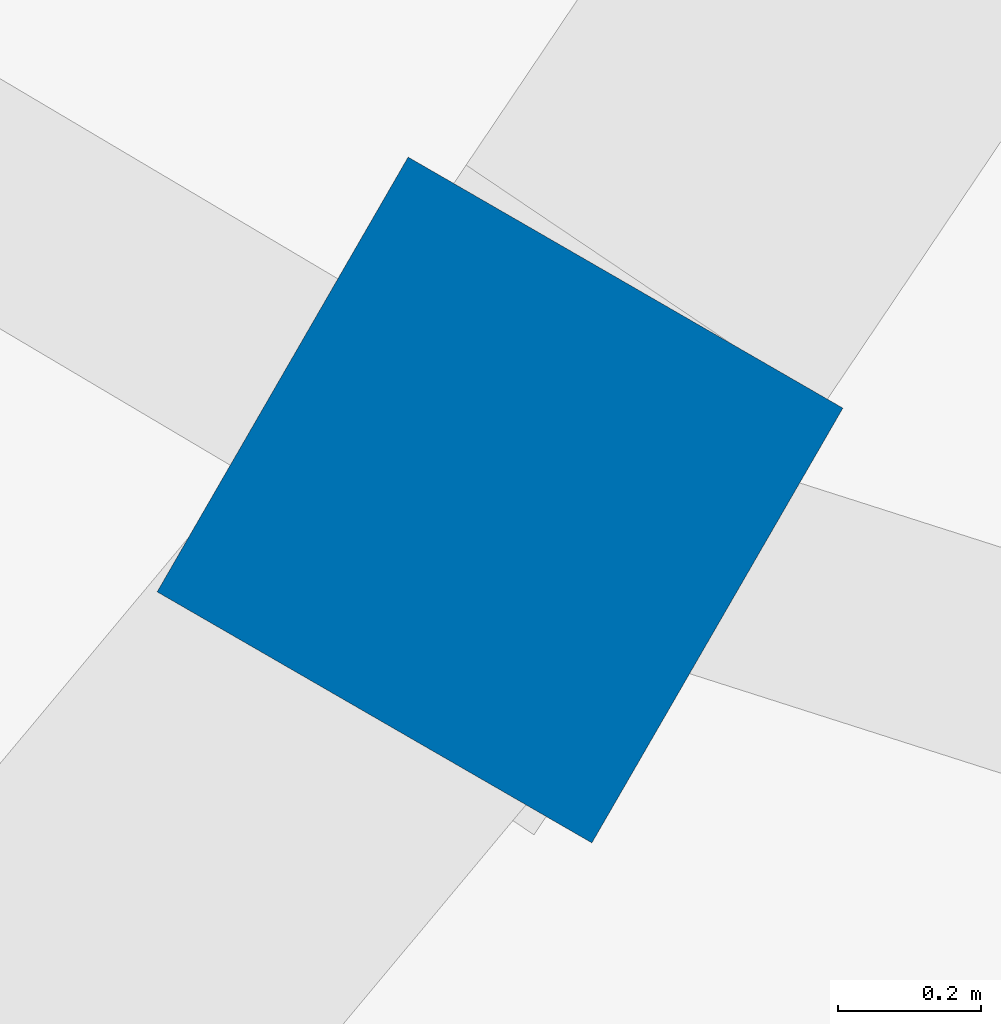
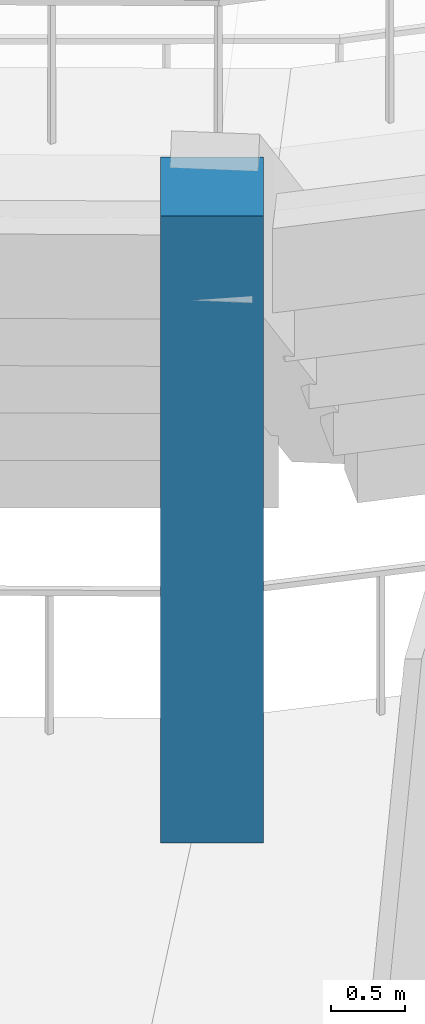
# One storey, part 6 of 178: 1 column.
"""IFC4 building model written with IfcOpenShell, lengths in metres."""

from ifc_helpers import new_model, si_unit, direction, frame, origin, origin_2d, place, context, subcontext, project, spatial, rectangle, extrude, material, material_profile, profile_set, type_object, element, save


model = new_model("IFC4")

# Units and contexts
model_context = context("Model", 3, precision=1e-05, world=origin(), true_north=direction((0.0, 1.0)))
body_context = subcontext(model_context, "Body", "Model", "MODEL_VIEW")
ifc_project = project(units=[si_unit("LENGTHUNIT", "METRE"), si_unit("AREAUNIT", "SQUARE_METRE"), si_unit("VOLUMEUNIT", "CUBIC_METRE"), si_unit("PLANEANGLEUNIT", "RADIAN"), si_unit("MASSUNIT", "GRAM", prefix="KILO")], contexts=[model_context])

# Site, building, storey
site_placement = place(None, origin())
site = spatial("IfcSite", under=ifc_project, at=site_placement, CompositionType="ELEMENT")
building_placement = place(site_placement, origin())
building = spatial("IfcBuilding", under=site, at=building_placement, Name="Zlatoyarsky Gate Stadium", CompositionType="ELEMENT")
storey_placement = place(building_placement, frame((0.0, 0.0, 5.39990234375)))
storey = spatial("IfcBuildingStorey", under=building, at=storey_placement, Name="L01", CompositionType="ELEMENT", Elevation=5.39990234375)

# Column
ifc_material = material(Name="Concrete C40/50", Category="concrete")
ifc_material_profile = material_profile(ifc_material, rectangle(XDim=0.699951171875, YDim=0.699951171875, at=origin_2d()), Name="RC COL 700X700")
ifc_profile_set = profile_set([ifc_material_profile], Name="Concrete C40/50")
column_type = type_object("IfcColumnType", Name="CONCRETE COLUMN 700X700", PredefinedType="COLUMN", material=ifc_profile_set)
column_placement = place(storey_placement, frame((77.0, 34.53369140625, 0.0), z_axis=(0.0, 0.0, 1.0), x_axis=(-0.5, -0.866025403784, 0.0)))
element("IfcColumn", 1, at=column_placement, inside=storey, type_object=column_type, Name="Column RC-C70 RA-16 on L01", PredefinedType="COLUMN", context=body_context, shape_type="SweptSolid", body=[
    extrude(rectangle(XDim=0.699951171875, YDim=0.699951171875, at=origin_2d()), origin(), (0.0, 0.0, 1.0), 5.2001953125),
])

save(model, "model.ifc")
